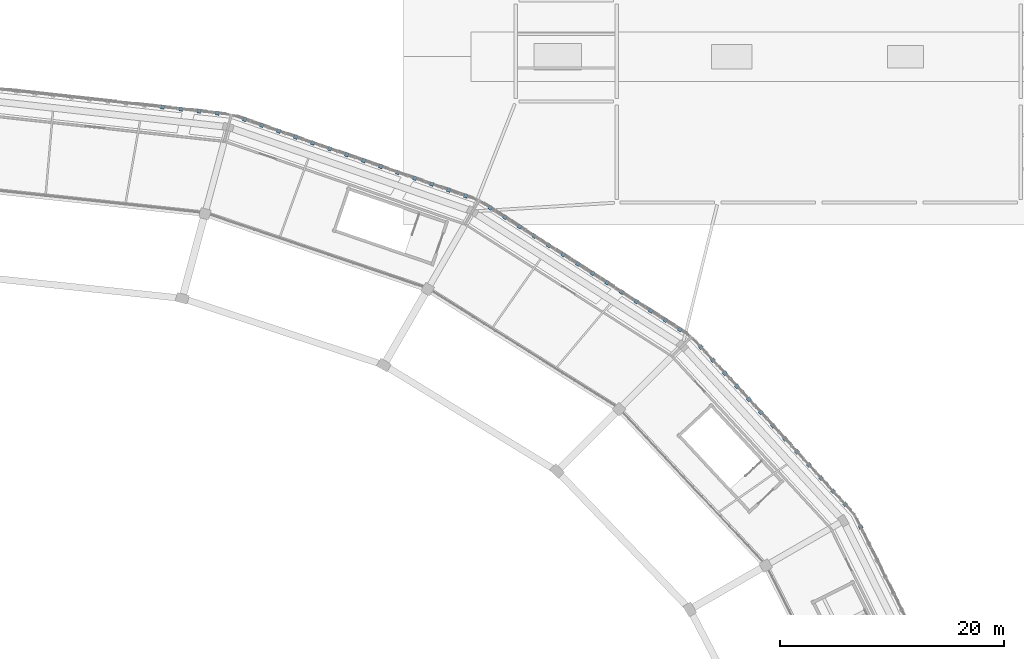
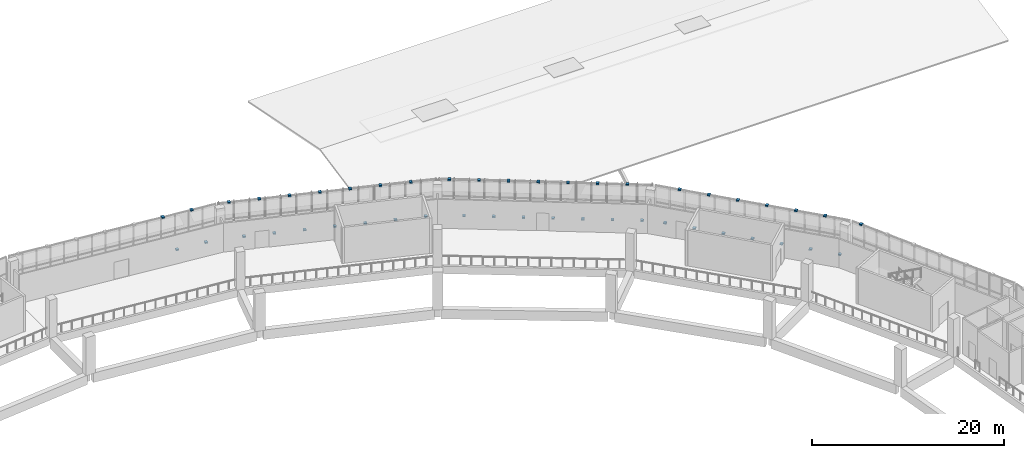
# One storey, part 81 of 108: 46 discrete accessories.
"""IFC4 building model written with IfcOpenShell, lengths in metres."""

from ifc_helpers import new_model, si_unit, direction, frame, origin, origin_2d, place, context, subcontext, project, spatial, rectangle, extrude, material, layer, layer_set, type_object, element, save


model = new_model("IFC4")

# Units and contexts
model_context = context("Model", 3, precision=1e-05, world=origin(), true_north=direction((0.0, 1.0)))
body_context = subcontext(model_context, "Body", "Model", "MODEL_VIEW")
ifc_project = project(units=[si_unit("LENGTHUNIT", "METRE"), si_unit("AREAUNIT", "SQUARE_METRE"), si_unit("VOLUMEUNIT", "CUBIC_METRE"), si_unit("PLANEANGLEUNIT", "RADIAN"), si_unit("MASSUNIT", "GRAM", prefix="KILO")], contexts=[model_context])

# Site, building, storey
site_placement = place(None, origin())
site = spatial("IfcSite", under=ifc_project, at=site_placement, CompositionType="ELEMENT")
building_placement = place(site_placement, origin())
building = spatial("IfcBuilding", under=site, at=building_placement, Name="Zevraka Park Crest Stadium", CompositionType="ELEMENT")
storey_placement = place(building_placement, frame((0.0, 0.0, 19.800048828125)))
storey = spatial("IfcBuildingStorey", under=building, at=storey_placement, Name="L04", CompositionType="ELEMENT", Elevation=19.800048828125)

# Discrete accessories
ifc_material = material(Name="Galvanised steel bracketry", Category="steel")
ifc_layer = layer(ifc_material, 0.1201171875)
ifc_layer_set = layer_set([ifc_layer], Name="Galvanised steel bracketry")
discrete_accessory_type = type_object("IfcDiscreteAccessoryType", Name="BRK01", PredefinedType="BRACKET", material=ifc_layer_set)
for number, where, z_axis, x_axis, name in (
    (1, (191.7509765625, 129.0849609375, 4.39990234375), (0.0, 0.0, 1.0), (-0.444009746106, 0.896021955849, 0.0), "Bronze Screen Carrier Bracket BRK01 L04-01-12"),
    (2, (190.35693359375, 131.1240234375, -0.16015625), (0.0, 0.0, 1.0), (-0.676104759618, 0.736805506238, 0.0), "Bronze Screen Carrier Bracket BRK01 L04-02-1"),
    (3, (189.284912109375, 132.2919921875, 4.39990234375), (0.0, 0.0, 1.0), (-0.676104759618, 0.736805506238, 0.0), "Bronze Screen Carrier Bracket BRK01 L04-02-2"),
    (4, (188.212890625, 133.4599609375, -0.16015625), (0.0, 0.0, 1.0), (-0.676104759618, 0.736805506238, 0.0), "Bronze Screen Carrier Bracket BRK01 L04-02-3"),
    (5, (187.14208984375, 134.6279296875, 4.39990234375), (0.0, 0.0, 1.0), (-0.676104759618, 0.736805506238, 0.0), "Bronze Screen Carrier Bracket BRK01 L04-02-4"),
    (6, (186.070068359375, 135.794921875, -0.16015625), (0.0, 0.0, 1.0), (-0.676104759618, 0.736805506238, 0.0), "Bronze Screen Carrier Bracket BRK01 L04-02-5"),
    (7, (184.998046875, 136.962890625, 4.39990234375), (0.0, 0.0, 1.0), (-0.676104759618, 0.736805506238, 0.0), "Bronze Screen Carrier Bracket BRK01 L04-02-6"),
    (8, (183.927001953125, 138.131103515625, -0.16015625), (0.0, 0.0, 1.0), (-0.676104759618, 0.736805506238, 0.0), "Bronze Screen Carrier Bracket BRK01 L04-02-7"),
    (9, (182.85498046875, 139.299072265625, 4.39990234375), (0.0, 0.0, 1.0), (-0.676104759618, 0.736805506238, 0.0), "Bronze Screen Carrier Bracket BRK01 L04-02-8"),
    (10, (181.782958984375, 140.467041015625, -0.16015625), (0.0, 0.0, 1.0), (-0.676104759618, 0.736805506238, 0.0), "Bronze Screen Carrier Bracket BRK01 L04-02-9"),
    (11, (180.7109375, 141.634033203125, 4.39990234375), (0.0, 0.0, 1.0), (-0.676104759618, 0.736805506238, 0.0), "Bronze Screen Carrier Bracket BRK01 L04-02-10"),
    (12, (179.639892578125, 142.802001953125, -0.16015625), (0.0, 0.0, 1.0), (-0.676104759618, 0.736805506238, 0.0), "Bronze Screen Carrier Bracket BRK01 L04-02-11"),
    (13, (178.568115234375, 143.969970703125, 4.39990234375), (0.0, 0.0, 1.0), (-0.676104759618, 0.736805506238, 0.0), "Bronze Screen Carrier Bracket BRK01 L04-02-12"),
    (14, (177.49609375, 145.137939453125, -0.16015625), (0.0, 0.0, 1.0), (-0.676104759618, 0.736805506238, 0.0), "Bronze Screen Carrier Bracket BRK01 L04-02-13"),
    (15, (175.639892578125, 146.702880859375, -0.16015625), (0.0, 0.0, 1.0), (-0.841699310121, 0.539946544894, 0.0), "Bronze Screen Carrier Bracket BRK01 L04-03-1"),
    (16, (174.340087890625, 147.535888671875, 4.39990234375), (0.0, 0.0, 1.0), (-0.841699310121, 0.539946544894, 0.0), "Bronze Screen Carrier Bracket BRK01 L04-03-2"),
    (17, (173.041015625, 148.3701171875, -0.16015625), (0.0, 0.0, 1.0), (-0.841699310121, 0.539946544894, 0.0), "Bronze Screen Carrier Bracket BRK01 L04-03-3"),
    (18, (171.740966796875, 149.2041015625, 4.39990234375), (0.0, 0.0, 1.0), (-0.841699310121, 0.539946544894, 0.0), "Bronze Screen Carrier Bracket BRK01 L04-03-4"),
    (19, (170.44189453125, 150.037109375, -0.16015625), (0.0, 0.0, 1.0), (-0.841699310121, 0.539946544894, 0.0), "Bronze Screen Carrier Bracket BRK01 L04-03-5"),
    (20, (169.14208984375, 150.87109375, 4.39990234375), (0.0, 0.0, 1.0), (-0.841699310121, 0.539946544894, 0.0), "Bronze Screen Carrier Bracket BRK01 L04-03-6"),
    (21, (167.843017578125, 151.705078125, -0.16015625), (0.0, 0.0, 1.0), (-0.841699310121, 0.539946544894, 0.0), "Bronze Screen Carrier Bracket BRK01 L04-03-7"),
    (22, (166.54296875, 152.5380859375, 4.39990234375), (0.0, 0.0, 1.0), (-0.841699310121, 0.539946544894, 0.0), "Bronze Screen Carrier Bracket BRK01 L04-03-8"),
    (23, (165.243896484375, 153.3720703125, -0.16015625), (0.0, 0.0, 1.0), (-0.841699310121, 0.539946544894, 0.0), "Bronze Screen Carrier Bracket BRK01 L04-03-9"),
    (24, (163.944091796875, 154.2060546875, 4.39990234375), (0.0, 0.0, 1.0), (-0.841699310121, 0.539946544894, 0.0), "Bronze Screen Carrier Bracket BRK01 L04-03-10"),
    (25, (162.64501953125, 155.0390625, -0.16015625), (0.0, 0.0, 1.0), (-0.841699310121, 0.539946544894, 0.0), "Bronze Screen Carrier Bracket BRK01 L04-03-11"),
    (26, (161.344970703125, 155.873046875, 4.39990234375), (0.0, 0.0, 1.0), (-0.841699310121, 0.539946544894, 0.0), "Bronze Screen Carrier Bracket BRK01 L04-03-12"),
    (27, (160.0458984375, 156.70703125, -0.16015625), (0.0, 0.0, 1.0), (-0.841699310121, 0.539946544894, 0.0), "Bronze Screen Carrier Bracket BRK01 L04-03-13"),
    (28, (158.74609375, 157.5400390625, 4.39990234375), (0.0, 0.0, 1.0), (-0.841699310121, 0.539946544894, 0.0), "Bronze Screen Carrier Bracket BRK01 L04-03-14"),
    (29, (156.547119140625, 158.60400390625, -0.16015625), (0.0, 0.0, 1.0), (-0.944948912158, 0.327217898979, 0.0), "Bronze Screen Carrier Bracket BRK01 L04-04-1"),
    (30, (155.031005859375, 159.1279296875, 4.39990234375), (0.0, 0.0, 1.0), (-0.944948912158, 0.327217898979, 0.0), "Bronze Screen Carrier Bracket BRK01 L04-04-2"),
    (31, (153.51611328125, 159.653076171875, -0.16015625), (0.0, 0.0, 1.0), (-0.944948912158, 0.327217898979, 0.0), "Bronze Screen Carrier Bracket BRK01 L04-04-3"),
    (32, (152.0, 160.177978515625, 4.39990234375), (0.0, 0.0, 1.0), (-0.944948912158, 0.327217898979, 0.0), "Bronze Screen Carrier Bracket BRK01 L04-04-4"),
    (33, (150.485107421875, 160.702880859375, -0.16015625), (0.0, 0.0, 1.0), (-0.944948912158, 0.327217898979, 0.0), "Bronze Screen Carrier Bracket BRK01 L04-04-5"),
    (34, (148.968994140625, 161.22802734375, 4.39990234375), (0.0, 0.0, 1.0), (-0.944948912158, 0.327217898979, 0.0), "Bronze Screen Carrier Bracket BRK01 L04-04-6"),
    (35, (147.4541015625, 161.7529296875, -0.16015625), (0.0, 0.0, 1.0), (-0.944948912158, 0.327217898979, 0.0), "Bronze Screen Carrier Bracket BRK01 L04-04-7"),
    (36, (145.93798828125, 162.277099609375, 4.39990234375), (0.0, 0.0, 1.0), (-0.944948912158, 0.327217898979, 0.0), "Bronze Screen Carrier Bracket BRK01 L04-04-8"),
    (37, (144.423095703125, 162.802001953125, -0.16015625), (0.0, 0.0, 1.0), (-0.944948912158, 0.327217898979, 0.0), "Bronze Screen Carrier Bracket BRK01 L04-04-9"),
    (38, (142.906982421875, 163.326904296875, 4.39990234375), (0.0, 0.0, 1.0), (-0.944948912158, 0.327217898979, 0.0), "Bronze Screen Carrier Bracket BRK01 L04-04-10"),
    (39, (141.39208984375, 163.85205078125, -0.16015625), (0.0, 0.0, 1.0), (-0.944948912158, 0.327217898979, 0.0), "Bronze Screen Carrier Bracket BRK01 L04-04-11"),
    (40, (139.8759765625, 164.376953125, 4.39990234375), (0.0, 0.0, 1.0), (-0.944948912158, 0.327217898979, 0.0), "Bronze Screen Carrier Bracket BRK01 L04-04-12"),
    (41, (138.361083984375, 164.902099609375, -0.16015625), (0.0, 0.0, 1.0), (-0.944948912158, 0.327217898979, 0.0), "Bronze Screen Carrier Bracket BRK01 L04-04-13"),
    (42, (136.844970703125, 165.426025390625, 4.39990234375), (0.0, 0.0, 1.0), (-0.944948912158, 0.327217898979, 0.0), "Bronze Screen Carrier Bracket BRK01 L04-04-14"),
    (43, (134.4140625, 165.971923828125, -0.16015625), (0.0, 0.0, 1.0), (-0.993999199399, 0.109387346587, 0.0), "Bronze Screen Carrier Bracket BRK01 L04-05-1"),
    (44, (132.785888671875, 166.15087890625, 4.39990234375), (0.0, 0.0, 1.0), (-0.993999199399, 0.109387346587, 0.0), "Bronze Screen Carrier Bracket BRK01 L04-05-2"),
    (45, (131.158935546875, 166.330078125, -0.16015625), (0.0, 0.0, 1.0), (-0.993999199399, 0.109387346587, 0.0), "Bronze Screen Carrier Bracket BRK01 L04-05-3"),
    (46, (129.531005859375, 166.509033203125, 4.39990234375), (0.0, 0.0, 1.0), (-0.993999199399, 0.109387346587, 0.0), "Bronze Screen Carrier Bracket BRK01 L04-05-4"),
):
    element("IfcDiscreteAccessory", number, at=place(storey_placement, frame(where, z_axis=z_axis, x_axis=x_axis)), inside=storey, type_object=discrete_accessory_type, Name=name, PredefinedType="BRACKET", context=body_context, shape_type="SweptSolid", body=[
        extrude(rectangle(XDim=0.320068359375, YDim=0.360107421875, at=origin_2d()), origin(), (0.0, 0.0, 1.0), 0.159912109375),
    ])

save(model, "model.ifc")
